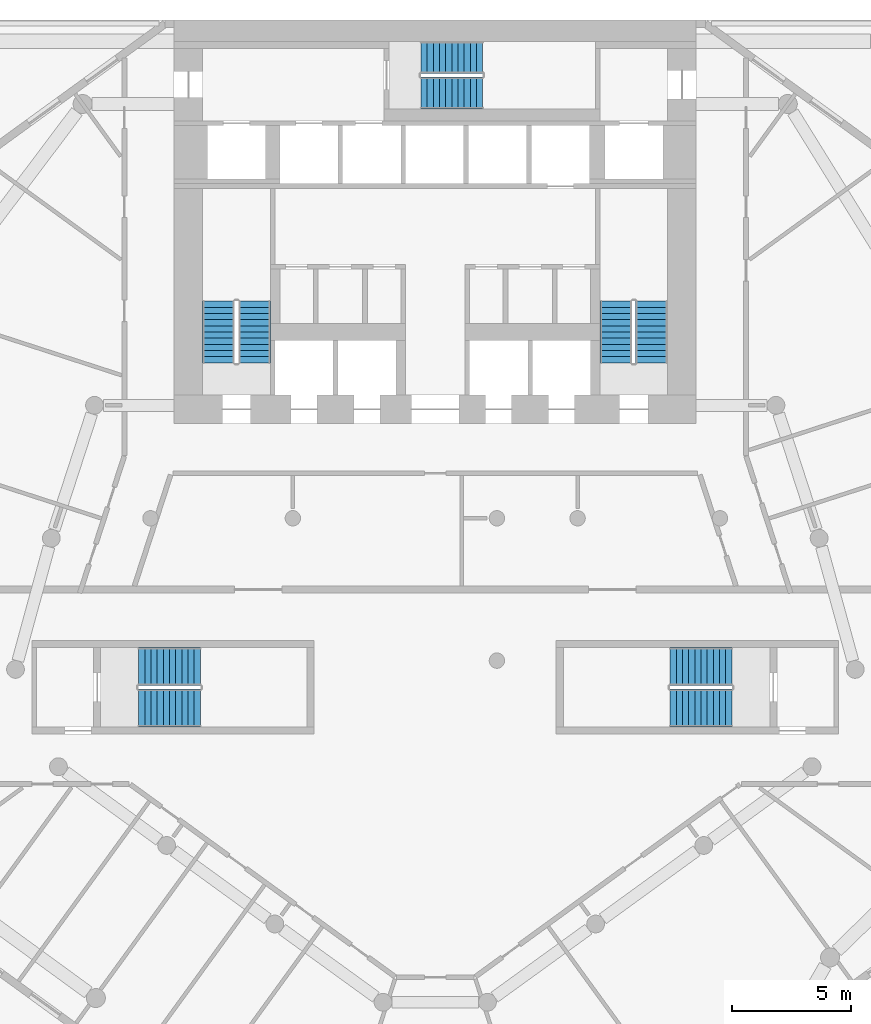
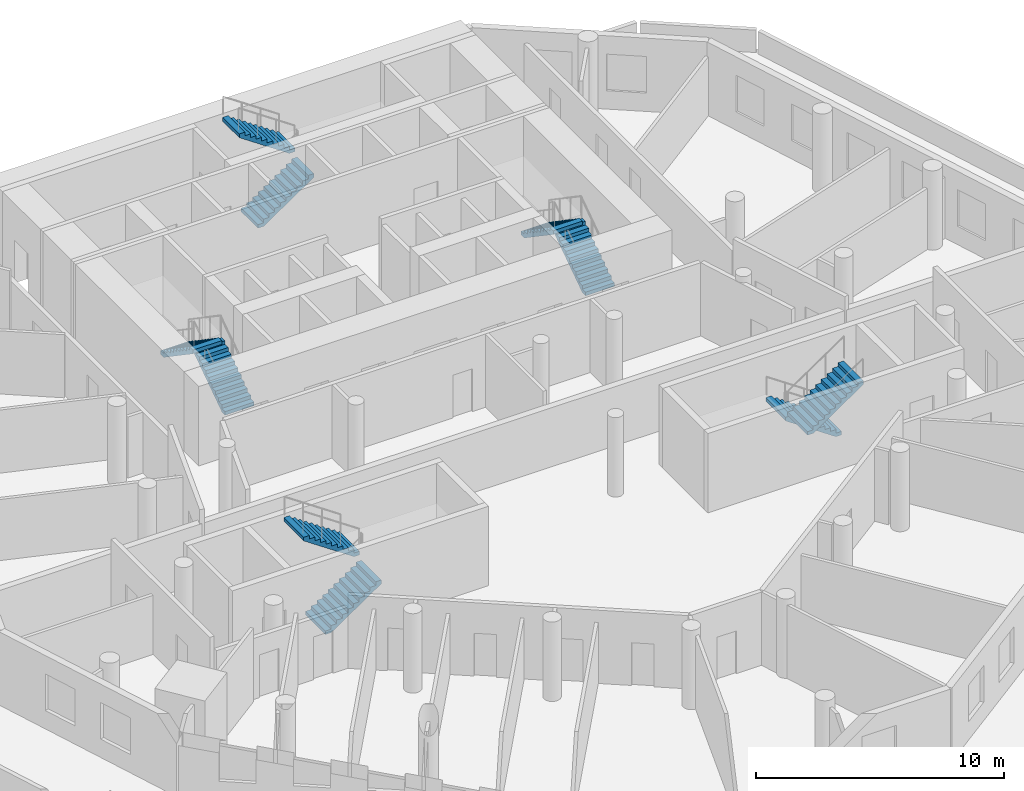
# One storey, part 8 of 10: 10 stair flights, 5 elements without a shape of their own.
"""IFC4 building model written with IfcOpenShell, lengths in metres."""

from ifc_helpers import new_model, si_unit, direction, frame, origin, place, context, subcontext, project, spatial, polyline, outline, extrude, material, layer, layer_set, type_object, element, aggregate, save


model = new_model("IFC4")

# Units and contexts
model_context = context("Model", 3, precision=1e-05, world=origin(), true_north=direction((0.0, 1.0)))
body_context = subcontext(model_context, "Body", "Model", "MODEL_VIEW")
ifc_project = project(units=[si_unit("LENGTHUNIT", "METRE"), si_unit("AREAUNIT", "SQUARE_METRE"), si_unit("VOLUMEUNIT", "CUBIC_METRE"), si_unit("PLANEANGLEUNIT", "RADIAN"), si_unit("MASSUNIT", "GRAM", prefix="KILO")], contexts=[model_context])

# Site, building, storey
site_placement = place(None, origin())
site = spatial("IfcSite", under=ifc_project, at=site_placement, CompositionType="ELEMENT")
building_placement = place(site_placement, origin())
building = spatial("IfcBuilding", under=site, at=building_placement, Name="White Candle Pilgrim Tower", CompositionType="ELEMENT")
storey_placement = place(building_placement, frame((0.0, 0.0, 39.0)))
storey = spatial("IfcBuildingStorey", under=building, at=storey_placement, Name="L06", CompositionType="ELEMENT", Elevation=39.0)

# Stair, stair flights
ifc_material = material(Name="Concrete C40/50", Category="concrete")
stair_type_1 = type_object("IfcStairType", Name="Exit stair 1 flight width 1350 mm", PredefinedType="HALF_TURN_STAIR", material=ifc_material)
stair_1_placement = place(storey_placement, origin())
stair_1 = element("IfcStair", 1, at=stair_1_placement, inside=storey, type_object=stair_type_1, Name="L06 stair 1", PredefinedType="NOTDEFINED")
ifc_layer = layer(ifc_material, 0.14990234375)
ifc_layer_set = layer_set([ifc_layer], Name="Stair flight Concrete C40/50")
stair_flight_type = type_object("IfcStairFlightType", Name="Stair flight Concrete C40/50", PredefinedType="STRAIGHT", material=ifc_layer_set)
stair_flight_1_placement = place(storey_placement, frame((62.375, 73.550048828125, 0.0), z_axis=(0.0, 0.0, 1.0), x_axis=(0.0, 1.0, 0.0)))
stair_flight_1 = element("IfcStairFlight", 2, at=stair_flight_1_placement, type_object=stair_flight_type, Name="ST1 flight 1", NumberOfRisers=11, NumberOfTreads=10, PredefinedType="NOTDEFINED", RiserHeight=0.177272727, TreadLength=0.26, context=body_context, shape_type="SweptSolid", body=[
    extrude(outline(polyline([(0.0, 0.0), (0.0, 0.17724609375), (0.260009765625, 0.17724609375), (0.260009765625, 0.3544921875), (0.52001953125, 0.3544921875), (0.52001953125, 0.53173828125), (0.780029296875, 0.53173828125), (0.780029296875, 0.708984375), (1.0400390625, 0.708984375), (1.0400390625, 0.886474609375), (1.300048828125, 0.886474609375), (1.300048828125, 1.063720703125), (1.56005859375, 1.063720703125), (1.56005859375, 1.240966796875), (1.820068359375, 1.240966796875), (1.820068359375, 1.418212890625), (2.080078125, 1.418212890625), (2.080078125, 1.595458984375), (2.340087890625, 1.595458984375), (2.340087890625, 1.772705078125), (2.60009765625, 1.772705078125), (2.60009765625, 1.949951171875), (2.60009765625, 1.59130859375), (0.26611328125, 0.0), (0.0, 0.0)])), frame((0.0, 0.675048828125, 0.0), z_axis=(0.0, -1.0, 0.0), x_axis=(1.0, 0.0, 0.0)), (0.0, 0.0, 1.0), 1.35009765625),
])
stair_flight_2_placement = place(storey_placement, frame((60.875, 76.14990234375, 1.949951171875), z_axis=(0.0, 0.0, 1.0), x_axis=(0.0, -1.0, 0.0)))
stair_flight_2 = element("IfcStairFlight", 3, at=stair_flight_2_placement, type_object=stair_flight_type, Name="ST1 flight 2", NumberOfRisers=11, NumberOfTreads=10, PredefinedType="NOTDEFINED", RiserHeight=0.177272727, TreadLength=0.26, context=body_context, shape_type="SweptSolid", body=[
    extrude(outline(polyline([(0.0, 0.0), (0.0, 0.17724609375), (0.260009765625, 0.17724609375), (0.260009765625, 0.3544921875), (0.52001953125, 0.3544921875), (0.52001953125, 0.53173828125), (0.780029296875, 0.53173828125), (0.780029296875, 0.708984375), (1.0400390625, 0.708984375), (1.0400390625, 0.886474609375), (1.300048828125, 0.886474609375), (1.300048828125, 1.063720703125), (1.56005859375, 1.063720703125), (1.56005859375, 1.240966796875), (1.820068359375, 1.240966796875), (1.820068359375, 1.418212890625), (2.080078125, 1.418212890625), (2.080078125, 1.595458984375), (2.340087890625, 1.595458984375), (2.340087890625, 1.772705078125), (2.60009765625, 1.772705078125), (2.60009765625, 1.949951171875), (2.60009765625, 1.59130859375), (0.26611328125, 0.0), (0.0, 0.0)])), frame((0.0, 0.675048828125, 0.0), z_axis=(0.0, -1.0, 0.0), x_axis=(1.0, 0.0, 0.0)), (0.0, 0.0, 1.0), 1.35009765625),
])
aggregate(stair_1, [stair_flight_1, stair_flight_2])

stair_type_2 = type_object("IfcStairType", Name="Exit stair 2 flight width 1350 mm", PredefinedType="HALF_TURN_STAIR", material=ifc_material)
stair_2_placement = place(storey_placement, origin())
stair_2 = element("IfcStair", 4, at=stair_2_placement, inside=storey, type_object=stair_type_2, Name="L06 stair 2", PredefinedType="NOTDEFINED")
stair_flight_3_placement = place(storey_placement, frame((79.125, 73.550048828125, 0.0), z_axis=(0.0, 0.0, 1.0), x_axis=(0.0, 1.0, 0.0)))
stair_flight_3 = element("IfcStairFlight", 5, at=stair_flight_3_placement, type_object=stair_flight_type, Name="ST2 flight 1", NumberOfRisers=11, NumberOfTreads=10, PredefinedType="NOTDEFINED", RiserHeight=0.177272727, TreadLength=0.26, context=body_context, shape_type="SweptSolid", body=[
    extrude(outline(polyline([(0.0, 0.0), (0.0, 0.17724609375), (0.260009765625, 0.17724609375), (0.260009765625, 0.3544921875), (0.52001953125, 0.3544921875), (0.52001953125, 0.53173828125), (0.780029296875, 0.53173828125), (0.780029296875, 0.708984375), (1.0400390625, 0.708984375), (1.0400390625, 0.886474609375), (1.300048828125, 0.886474609375), (1.300048828125, 1.063720703125), (1.56005859375, 1.063720703125), (1.56005859375, 1.240966796875), (1.820068359375, 1.240966796875), (1.820068359375, 1.418212890625), (2.080078125, 1.418212890625), (2.080078125, 1.595458984375), (2.340087890625, 1.595458984375), (2.340087890625, 1.772705078125), (2.60009765625, 1.772705078125), (2.60009765625, 1.949951171875), (2.60009765625, 1.59130859375), (0.26611328125, 0.0), (0.0, 0.0)])), frame((0.0, 0.675048828125, 0.0), z_axis=(0.0, -1.0, 0.0), x_axis=(1.0, 0.0, 0.0)), (0.0, 0.0, 1.0), 1.35009765625),
])
stair_flight_4_placement = place(storey_placement, frame((77.625, 76.14990234375, 1.949951171875), z_axis=(0.0, 0.0, 1.0), x_axis=(0.0, -1.0, 0.0)))
stair_flight_4 = element("IfcStairFlight", 6, at=stair_flight_4_placement, type_object=stair_flight_type, Name="ST2 flight 2", NumberOfRisers=11, NumberOfTreads=10, PredefinedType="NOTDEFINED", RiserHeight=0.177272727, TreadLength=0.26, context=body_context, shape_type="SweptSolid", body=[
    extrude(outline(polyline([(0.0, 0.0), (0.0, 0.17724609375), (0.260009765625, 0.17724609375), (0.260009765625, 0.3544921875), (0.52001953125, 0.3544921875), (0.52001953125, 0.53173828125), (0.780029296875, 0.53173828125), (0.780029296875, 0.708984375), (1.0400390625, 0.708984375), (1.0400390625, 0.886474609375), (1.300048828125, 0.886474609375), (1.300048828125, 1.063720703125), (1.56005859375, 1.063720703125), (1.56005859375, 1.240966796875), (1.820068359375, 1.240966796875), (1.820068359375, 1.418212890625), (2.080078125, 1.418212890625), (2.080078125, 1.595458984375), (2.340087890625, 1.595458984375), (2.340087890625, 1.772705078125), (2.60009765625, 1.772705078125), (2.60009765625, 1.949951171875), (2.60009765625, 1.59130859375), (0.26611328125, 0.0), (0.0, 0.0)])), frame((0.0, 0.675048828125, 0.0), z_axis=(0.0, -1.0, 0.0), x_axis=(1.0, 0.0, 0.0)), (0.0, 0.0, 1.0), 1.35009765625),
])
aggregate(stair_2, [stair_flight_3, stair_flight_4])

stair_type_3 = type_object("IfcStairType", Name="Exit stair 3 flight width 1350 mm", PredefinedType="HALF_TURN_STAIR", material=ifc_material)
stair_3_placement = place(storey_placement, origin())
stair_3 = element("IfcStair", 7, at=stair_3_placement, inside=storey, type_object=stair_type_3, Name="L06 stair 3", PredefinedType="NOTDEFINED")
stair_flight_5_placement = place(storey_placement, frame((69.39990234375, 84.925048828125, 0.0), z_axis=(0.0, 0.0, 1.0), x_axis=(1.0, 0.0, 0.0)))
stair_flight_5 = element("IfcStairFlight", 8, at=stair_flight_5_placement, type_object=stair_flight_type, Name="ST3 flight 1", NumberOfRisers=11, NumberOfTreads=10, PredefinedType="NOTDEFINED", RiserHeight=0.177272727, TreadLength=0.26, context=body_context, shape_type="SweptSolid", body=[
    extrude(outline(polyline([(0.0, 0.0), (0.0, 0.17724609375), (0.260009765625, 0.17724609375), (0.260009765625, 0.3544921875), (0.52001953125, 0.3544921875), (0.52001953125, 0.53173828125), (0.780029296875, 0.53173828125), (0.780029296875, 0.708984375), (1.0400390625, 0.708984375), (1.0400390625, 0.886474609375), (1.300048828125, 0.886474609375), (1.300048828125, 1.063720703125), (1.56005859375, 1.063720703125), (1.56005859375, 1.240966796875), (1.820068359375, 1.240966796875), (1.820068359375, 1.418212890625), (2.080078125, 1.418212890625), (2.080078125, 1.595458984375), (2.340087890625, 1.595458984375), (2.340087890625, 1.772705078125), (2.60009765625, 1.772705078125), (2.60009765625, 1.949951171875), (2.60009765625, 1.59130859375), (0.26611328125, 0.0), (0.0, 0.0)])), frame((0.0, 0.675048828125, 0.0), z_axis=(0.0, -1.0, 0.0), x_axis=(1.0, 0.0, 0.0)), (0.0, 0.0, 1.0), 1.35009765625),
])
stair_flight_6_placement = place(storey_placement, frame((72.0, 86.425048828125, 1.949951171875), z_axis=(0.0, 0.0, 1.0), x_axis=(-1.0, 0.0, 0.0)))
stair_flight_6 = element("IfcStairFlight", 9, at=stair_flight_6_placement, type_object=stair_flight_type, Name="ST3 flight 2", NumberOfRisers=11, NumberOfTreads=10, PredefinedType="NOTDEFINED", RiserHeight=0.177272727, TreadLength=0.26, context=body_context, shape_type="SweptSolid", body=[
    extrude(outline(polyline([(0.0, 0.0), (0.0, 0.17724609375), (0.260009765625, 0.17724609375), (0.260009765625, 0.3544921875), (0.52001953125, 0.3544921875), (0.52001953125, 0.53173828125), (0.780029296875, 0.53173828125), (0.780029296875, 0.708984375), (1.0400390625, 0.708984375), (1.0400390625, 0.886474609375), (1.300048828125, 0.886474609375), (1.300048828125, 1.063720703125), (1.56005859375, 1.063720703125), (1.56005859375, 1.240966796875), (1.820068359375, 1.240966796875), (1.820068359375, 1.418212890625), (2.080078125, 1.418212890625), (2.080078125, 1.595458984375), (2.340087890625, 1.595458984375), (2.340087890625, 1.772705078125), (2.60009765625, 1.772705078125), (2.60009765625, 1.949951171875), (2.60009765625, 1.59130859375), (0.26611328125, 0.0), (0.0, 0.0)])), frame((0.0, 0.675048828125, 0.0), z_axis=(0.0, -1.0, 0.0), x_axis=(1.0, 0.0, 0.0)), (0.0, 0.0, 1.0), 1.35009765625),
])
aggregate(stair_3, [stair_flight_5, stair_flight_6])

stair_type_4 = type_object("IfcStairType", Name="Exit stair 4 flight width 1600 mm", PredefinedType="HALF_TURN_STAIR", material=ifc_material)
stair_4_placement = place(storey_placement, origin())
stair_4 = element("IfcStair", 10, at=stair_4_placement, inside=storey, type_object=stair_type_4, Name="L06 stair 4", PredefinedType="NOTDEFINED")
stair_flight_7_placement = place(storey_placement, frame((82.5, 60.75, 0.0), z_axis=(0.0, 0.0, 1.0), x_axis=(-1.0, 0.0, 0.0)))
stair_flight_7 = element("IfcStairFlight", 11, at=stair_flight_7_placement, type_object=stair_flight_type, Name="ST4 flight 1", NumberOfRisers=11, NumberOfTreads=10, PredefinedType="NOTDEFINED", RiserHeight=0.177272727, TreadLength=0.26, context=body_context, shape_type="SweptSolid", body=[
    extrude(outline(polyline([(0.0, 0.0), (0.0, 0.17724609375), (0.260009765625, 0.17724609375), (0.260009765625, 0.3544921875), (0.52001953125, 0.3544921875), (0.52001953125, 0.53173828125), (0.780029296875, 0.53173828125), (0.780029296875, 0.708984375), (1.0400390625, 0.708984375), (1.0400390625, 0.886474609375), (1.300048828125, 0.886474609375), (1.300048828125, 1.063720703125), (1.56005859375, 1.063720703125), (1.56005859375, 1.240966796875), (1.820068359375, 1.240966796875), (1.820068359375, 1.418212890625), (2.080078125, 1.418212890625), (2.080078125, 1.595458984375), (2.340087890625, 1.595458984375), (2.340087890625, 1.772705078125), (2.60009765625, 1.772705078125), (2.60009765625, 1.949951171875), (2.60009765625, 1.59130859375), (0.26611328125, 0.0), (0.0, 0.0)])), frame((0.0, 0.800048828125, 0.0), z_axis=(0.0, -1.0, 0.0), x_axis=(1.0, 0.0, 0.0)), (0.0, 0.0, 1.0), 1.60009765625),
])
stair_flight_8_placement = place(storey_placement, frame((79.89990234375, 59.0, 1.949951171875), z_axis=(0.0, 0.0, 1.0), x_axis=(1.0, 0.0, 0.0)))
stair_flight_8 = element("IfcStairFlight", 12, at=stair_flight_8_placement, type_object=stair_flight_type, Name="ST4 flight 2", NumberOfRisers=11, NumberOfTreads=10, PredefinedType="NOTDEFINED", RiserHeight=0.177272727, TreadLength=0.26, context=body_context, shape_type="SweptSolid", body=[
    extrude(outline(polyline([(0.0, 0.0), (0.0, 0.17724609375), (0.260009765625, 0.17724609375), (0.260009765625, 0.3544921875), (0.52001953125, 0.3544921875), (0.52001953125, 0.53173828125), (0.780029296875, 0.53173828125), (0.780029296875, 0.708984375), (1.0400390625, 0.708984375), (1.0400390625, 0.886474609375), (1.300048828125, 0.886474609375), (1.300048828125, 1.063720703125), (1.56005859375, 1.063720703125), (1.56005859375, 1.240966796875), (1.820068359375, 1.240966796875), (1.820068359375, 1.418212890625), (2.080078125, 1.418212890625), (2.080078125, 1.595458984375), (2.340087890625, 1.595458984375), (2.340087890625, 1.772705078125), (2.60009765625, 1.772705078125), (2.60009765625, 1.949951171875), (2.60009765625, 1.59130859375), (0.26611328125, 0.0), (0.0, 0.0)])), frame((0.0, 0.800048828125, 0.0), z_axis=(0.0, -1.0, 0.0), x_axis=(1.0, 0.0, 0.0)), (0.0, 0.0, 1.0), 1.60009765625),
])
aggregate(stair_4, [stair_flight_7, stair_flight_8])

stair_type_5 = type_object("IfcStairType", Name="Exit stair 5 flight width 1600 mm", PredefinedType="HALF_TURN_STAIR", material=ifc_material)
stair_5_placement = place(storey_placement, origin())
stair_5 = element("IfcStair", 13, at=stair_5_placement, inside=storey, type_object=stair_type_5, Name="L06 stair 5", PredefinedType="NOTDEFINED")
stair_flight_9_placement = place(storey_placement, frame((57.5, 59.0, 0.0), z_axis=(0.0, 0.0, 1.0), x_axis=(1.0, 0.0, 0.0)))
stair_flight_9 = element("IfcStairFlight", 14, at=stair_flight_9_placement, type_object=stair_flight_type, Name="ST5 flight 1", NumberOfRisers=11, NumberOfTreads=10, PredefinedType="NOTDEFINED", RiserHeight=0.177272727, TreadLength=0.26, context=body_context, shape_type="SweptSolid", body=[
    extrude(outline(polyline([(0.0, 0.0), (0.0, 0.17724609375), (0.260009765625, 0.17724609375), (0.260009765625, 0.3544921875), (0.52001953125, 0.3544921875), (0.52001953125, 0.53173828125), (0.780029296875, 0.53173828125), (0.780029296875, 0.708984375), (1.0400390625, 0.708984375), (1.0400390625, 0.886474609375), (1.300048828125, 0.886474609375), (1.300048828125, 1.063720703125), (1.56005859375, 1.063720703125), (1.56005859375, 1.240966796875), (1.820068359375, 1.240966796875), (1.820068359375, 1.418212890625), (2.080078125, 1.418212890625), (2.080078125, 1.595458984375), (2.340087890625, 1.595458984375), (2.340087890625, 1.772705078125), (2.60009765625, 1.772705078125), (2.60009765625, 1.949951171875), (2.60009765625, 1.59130859375), (0.26611328125, 0.0), (0.0, 0.0)])), frame((0.0, 0.800048828125, 0.0), z_axis=(0.0, -1.0, 0.0), x_axis=(1.0, 0.0, 0.0)), (0.0, 0.0, 1.0), 1.60009765625),
])
stair_flight_10_placement = place(storey_placement, frame((60.10009765625, 60.75, 1.949951171875), z_axis=(0.0, 0.0, 1.0), x_axis=(-1.0, 0.0, 0.0)))
stair_flight_10 = element("IfcStairFlight", 15, at=stair_flight_10_placement, type_object=stair_flight_type, Name="ST5 flight 2", NumberOfRisers=11, NumberOfTreads=10, PredefinedType="NOTDEFINED", RiserHeight=0.177272727, TreadLength=0.26, context=body_context, shape_type="SweptSolid", body=[
    extrude(outline(polyline([(0.0, 0.0), (0.0, 0.17724609375), (0.260009765625, 0.17724609375), (0.260009765625, 0.3544921875), (0.52001953125, 0.3544921875), (0.52001953125, 0.53173828125), (0.780029296875, 0.53173828125), (0.780029296875, 0.708984375), (1.0400390625, 0.708984375), (1.0400390625, 0.886474609375), (1.300048828125, 0.886474609375), (1.300048828125, 1.063720703125), (1.56005859375, 1.063720703125), (1.56005859375, 1.240966796875), (1.820068359375, 1.240966796875), (1.820068359375, 1.418212890625), (2.080078125, 1.418212890625), (2.080078125, 1.595458984375), (2.340087890625, 1.595458984375), (2.340087890625, 1.772705078125), (2.60009765625, 1.772705078125), (2.60009765625, 1.949951171875), (2.60009765625, 1.59130859375), (0.26611328125, 0.0), (0.0, 0.0)])), frame((0.0, 0.800048828125, 0.0), z_axis=(0.0, -1.0, 0.0), x_axis=(1.0, 0.0, 0.0)), (0.0, 0.0, 1.0), 1.60009765625),
])
aggregate(stair_5, [stair_flight_9, stair_flight_10])

save(model, "model.ifc")
